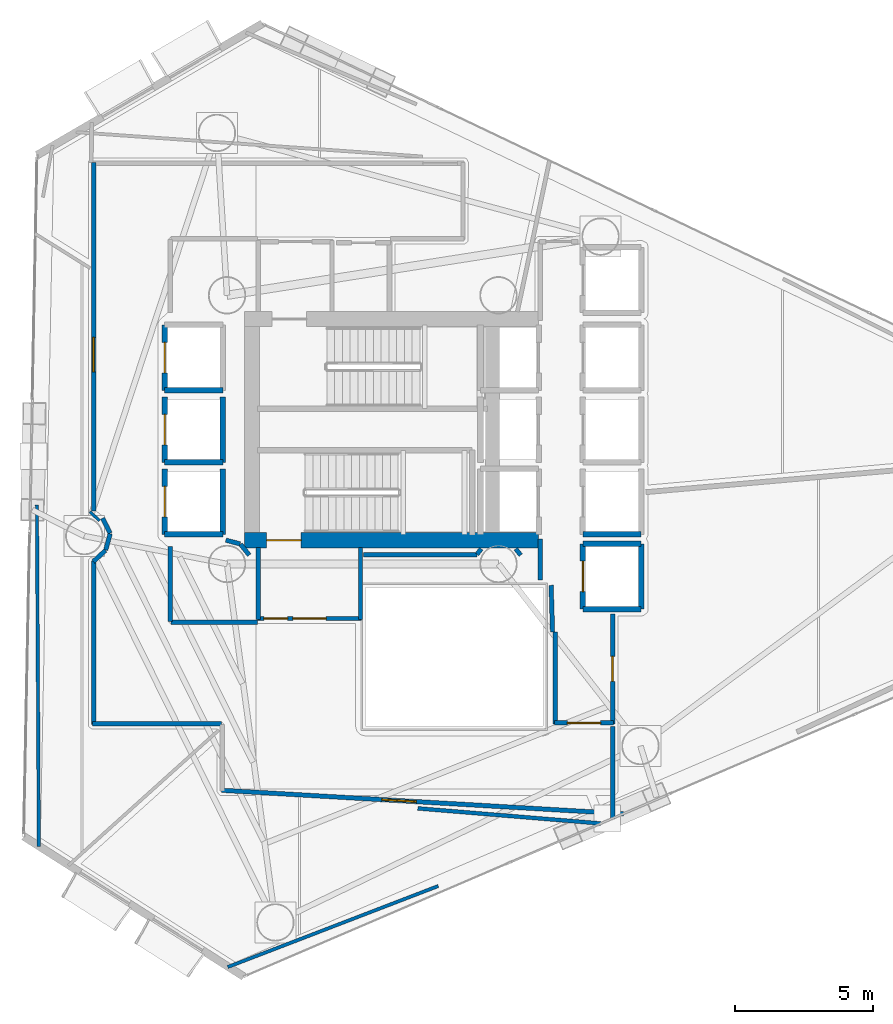
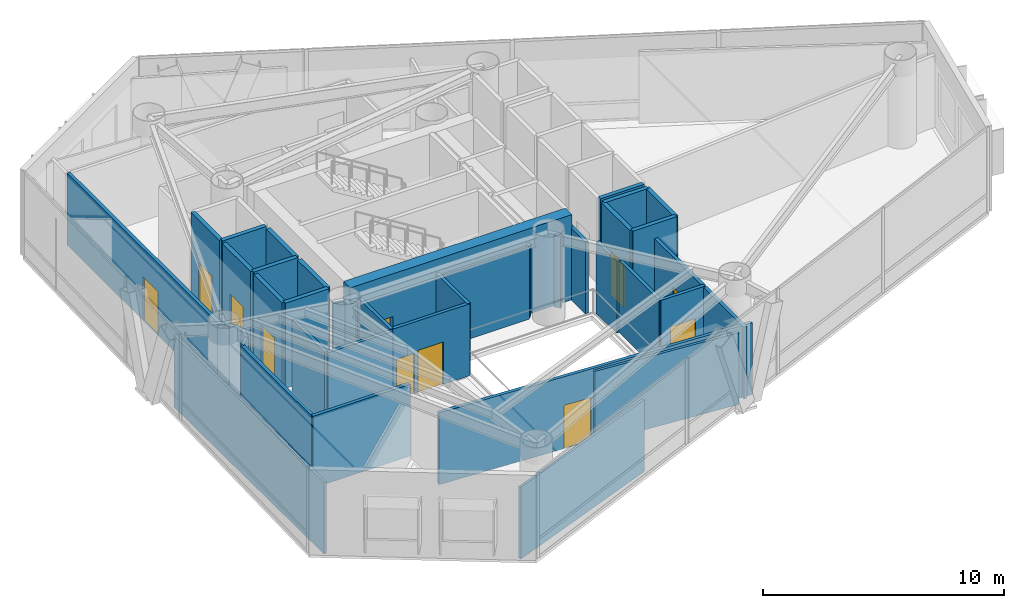
# One storey, part 16 of 21: 41 walls, 11 doors, 11 openings.
"""IFC4 building model written with IfcOpenShell, lengths in metres."""

from ifc_helpers import new_model, si_unit, direction, frame, frame_2d, origin, place, context, subcontext, project, spatial, rectangle, extrude, material, layer, layer_set, type_object, element, fill, save


model = new_model("IFC4")

# Units and contexts
model_context = context("Model", 3, precision=1e-05, world=origin(), true_north=direction((0.0, 1.0)))
body_context = subcontext(model_context, "Body", "Model", "MODEL_VIEW")
ifc_project = project(units=[si_unit("LENGTHUNIT", "METRE"), si_unit("AREAUNIT", "SQUARE_METRE"), si_unit("VOLUMEUNIT", "CUBIC_METRE"), si_unit("PLANEANGLEUNIT", "RADIAN"), si_unit("MASSUNIT", "GRAM", prefix="KILO")], contexts=[model_context])

# Site, building, storey
site_placement = place(None, origin())
site = spatial("IfcSite", under=ifc_project, at=site_placement, CompositionType="ELEMENT")
building_placement = place(site_placement, origin())
building = spatial("IfcBuilding", under=site, at=building_placement, Name="Qianvela Tower", CompositionType="ELEMENT")
storey_placement = place(building_placement, frame((0.0, 0.0, 143.10009765625)))
storey = spatial("IfcBuildingStorey", under=building, at=storey_placement, Name="L36", CompositionType="ELEMENT", Elevation=143.10009765625)

# Wall, opening, door
ifc_material_1 = material(Name="Concrete C60", Category="concrete")
ifc_layer_1 = layer(ifc_material_1, 0.550048828125)
ifc_layer_set_1 = layer_set([ifc_layer_1], Name="Concrete C60")
wall_type_1 = type_object("IfcWallType", Name="WT-CORE-550", PredefinedType="SHEAR", material=ifc_layer_set_1)
wall_1_placement = place(storey_placement, frame((29.22998046875, 24.705078125, 0.0), z_axis=(0.0, 0.0, 1.0), x_axis=(1.0, 0.0, 0.0)))
wall_1 = element("IfcWall", 1, at=wall_1_placement, inside=storey, type_object=wall_type_1, Name="L36 South Core Shear Wall", PredefinedType="SHEAR", context=body_context, shape_type="SweptSolid", body=[
    extrude(rectangle(XDim=10.6201171875, YDim=0.550048828125, at=frame_2d((5.31005859375, 0.0))), origin(), (0.0, 0.0, 1.0), 4.31982421875),
])
opening_1_placement = place(wall_1_placement, frame((0.794921875, 0.0, 0.0)))
opening_1 = element("IfcOpeningElement", 2, at=opening_1_placement, cuts=wall_1, Name="Opening D-ST1", PredefinedType="OPENING", context=body_context, shape_type="SweptSolid", body=[
    extrude(rectangle(XDim=1.25, YDim=2.14990234375, at=frame_2d((0.625, 1.074951171875))), frame((0.0, 0.284912109375, 0.0), z_axis=(0.0, -1.0, 0.0), x_axis=(1.0, 0.0, 0.0)), (0.0, 0.0, 1.0), 0.570068359375),
])
ifc_material_2 = material(Name="Galvanised Fire Steel Q355B", Category="steel")
door_type_1 = type_object("IfcDoorType", Name="DT-STAIR-FD90", OperationType="NOTDEFINED", PredefinedType="DOOR", material=ifc_material_2)
door_1_placement = place(opening_1_placement, origin())
door_1 = element("IfcDoor", 3, at=door_1_placement, inside=storey, type_object=door_type_1, Name="L36 Stair ST-2 Exit Door", OperationType="SINGLE_SWING_RIGHT", OverallHeight=2.14990234375, OverallWidth=1.25, PredefinedType="DOOR", context=body_context, shape_type="SweptSolid", body=[
    extrude(rectangle(XDim=1.25, YDim=2.14990234375, at=frame_2d((0.625, 1.074951171875))), frame((0.0, 0.02490234375, 0.0), z_axis=(0.0, -1.0, 0.0), x_axis=(1.0, 0.0, 0.0)), (0.0, 0.0, 1.0), 0.050048828125),
])
fill(opening_1, door_1)

# Wall, openings, doors
ifc_material_3 = material(Name="Fire-Rated Gypsum and Concrete Block", Category="concrete")
ifc_layer_2 = layer(ifc_material_3, 0.159912109375)
ifc_layer_set_2 = layer_set([ifc_layer_2], Name="Fire-Rated Gypsum and Concrete Block")
wall_type_2 = type_object("IfcWallType", Name="WT-CORR-160", PredefinedType="PARTITIONING", material=ifc_layer_set_2)
wall_2_placement = place(storey_placement, frame((33.449951171875, 21.881103515625, 0.0), z_axis=(0.0, 0.0, 1.0), x_axis=(-1.0, 0.0, 0.0)))
wall_2 = element("IfcWall", 4, at=wall_2_placement, inside=storey, type_object=wall_type_2, Name="L36 Partition 5", PredefinedType="PARTITIONING", context=body_context, shape_type="SweptSolid", body=[
    extrude(rectangle(XDim=3.75, YDim=0.159912109375, at=frame_2d((1.875, 0.0))), origin(), (0.0, 0.0, 1.0), 3.639892578125),
])
opening_2_placement = place(wall_2_placement, frame((1.27490234375, 0.0, 0.0)))
opening_2 = element("IfcOpeningElement", 5, at=opening_2_placement, cuts=wall_2, Name="Opening D-LB1", PredefinedType="OPENING", context=body_context, shape_type="SweptSolid", body=[
    extrude(rectangle(XDim=1.199951171875, YDim=2.14990234375, at=frame_2d((0.60009765625, 1.074951171875))), frame((0.0, 0.08984375, 0.0), z_axis=(0.0, -1.0, 0.0), x_axis=(1.0, 0.0, 0.0)), (0.0, 0.0, 1.0), 0.179931640625),
])
opening_3_placement = place(wall_2_placement, frame((2.659912109375, 0.0, 0.0)))
opening_3 = element("IfcOpeningElement", 6, at=opening_3_placement, cuts=wall_2, Name="Opening D-LB2", PredefinedType="OPENING", context=body_context, shape_type="SweptSolid", body=[
    extrude(rectangle(XDim=0.860107421875, YDim=2.050048828125, at=frame_2d((0.43017578125, 1.02490234375))), frame((0.0, 0.08984375, 0.0), z_axis=(0.0, -1.0, 0.0), x_axis=(1.0, 0.0, 0.0)), (0.0, 0.0, 1.0), 0.179931640625),
])
ifc_material_4 = material(Name="Glazed Fire-Rated Steel Frame", Category="steel")
door_type_2 = type_object("IfcDoorType", Name="DT-LOBBY-FD90", OperationType="NOTDEFINED", PredefinedType="DOOR", material=ifc_material_4)
door_2_placement = place(opening_2_placement, origin())
door_2 = element("IfcDoor", 7, at=door_2_placement, inside=storey, type_object=door_type_2, Name="L36 Door L36 Firefighting Lobby South to L36 Sky Lobby Gallery Corridor", OperationType="SINGLE_SWING_LEFT", OverallHeight=2.14990234375, OverallWidth=1.199951171875, PredefinedType="DOOR", context=body_context, shape_type="SweptSolid", body=[
    extrude(rectangle(XDim=1.199951171875, YDim=2.14990234375, at=frame_2d((0.60009765625, 1.074951171875))), frame((0.0, 0.02490234375, 0.0), z_axis=(0.0, -1.0, 0.0), x_axis=(1.0, 0.0, 0.0)), (0.0, 0.0, 1.0), 0.050048828125),
])
fill(opening_2, door_2)
ifc_material_5 = material(Name="Insulated Steel Fire Door Q355B", Category="steel")
door_type_3 = type_object("IfcDoorType", Name="DT-LOBBY-FD90-860", OperationType="NOTDEFINED", PredefinedType="DOOR", material=ifc_material_5)
door_3_placement = place(opening_3_placement, origin())
door_3 = element("IfcDoor", 8, at=door_3_placement, inside=storey, type_object=door_type_3, Name="L36 Door L36 Firefighting Lobby South to L36 Sky Lobby Gallery Corridor", OperationType="SINGLE_SWING_LEFT", OverallHeight=2.050048828125, OverallWidth=0.860107421875, PredefinedType="DOOR", context=body_context, shape_type="SweptSolid", body=[
    extrude(rectangle(XDim=0.860107421875, YDim=2.050048828125, at=frame_2d((0.43017578125, 1.02490234375))), frame((0.0, 0.02490234375, 0.0), z_axis=(0.0, -1.0, 0.0), x_axis=(1.0, 0.0, 0.0)), (0.0, 0.0, 1.0), 0.050048828125),
])
fill(opening_3, door_3)

# Walls
for number, where, z_axis, x_axis, name in (
    (9, (29.73095703125, 21.85009765625, 0.0), (0.0, 0.0, 1.0), (0.0, 1.0, 0.0), "L36 Partition 6"),
    (10, (33.4189453125, 24.44189453125, 0.0), (0.0, 0.0, 1.0), (0.0, -1.0, 0.0), "L36 Partition 8"),
):
    element("IfcWall", number, at=place(storey_placement, frame(where, z_axis=z_axis, x_axis=x_axis)), inside=storey, type_object=wall_type_2, Name=name, PredefinedType="PARTITIONING", context=body_context, shape_type="SweptSolid", body=[
        extrude(rectangle(XDim=2.591796875, YDim=0.159912109375, at=frame_2d((1.2958984375, 0.0))), origin(), (0.0, 0.0, 1.0), 3.639892578125),
    ])
wall_3_placement = place(storey_placement, frame((40.35107421875, 21.40087890625, 0.0), z_axis=(0.0, 0.0, 1.0), x_axis=(-0.031058045979, 0.999517582527, 0.0)))
element("IfcWall", 11, at=wall_3_placement, inside=storey, type_object=wall_type_2, Name="L36 Partition 9", PredefinedType="PARTITIONING", context=body_context, shape_type="SweptSolid", body=[
    extrude(rectangle(XDim=1.68212890625, YDim=0.159912109375, at=frame_2d((0.841064453125, 0.0))), origin(), (0.0, 0.0, 1.0), 3.639892578125),
])
wall_4_placement = place(storey_placement, frame((39.910888671875, 23.280029296875, 0.0), z_axis=(0.0, 0.0, 1.0), x_axis=(0.0, 1.0, 0.0)))
element("IfcWall", 12, at=wall_4_placement, inside=storey, type_object=wall_type_2, Name="L36 Partition 10", PredefinedType="PARTITIONING", context=body_context, shape_type="SweptSolid", body=[
    extrude(rectangle(XDim=1.47998046875, YDim=0.159912109375, at=frame_2d((0.739990234375, 0.0))), origin(), (0.0, 0.0, 1.0), 3.639892578125),
])

# Wall, opening, door
wall_5_placement = place(storey_placement, frame((42.51904296875, 22.050048828125, 0.0), z_axis=(0.0, 0.0, 1.0), x_axis=(0.0, -1.0, 0.0)))
wall_5 = element("IfcWall", 13, at=wall_5_placement, inside=storey, type_object=wall_type_2, Name="L36 Partition 17", PredefinedType="PARTITIONING", context=body_context, shape_type="SweptSolid", body=[
    extrude(rectangle(XDim=3.969970703125, YDim=0.159912109375, at=frame_2d((1.98486328125, 0.0))), origin(), (0.0, 0.0, 1.0), 3.639892578125),
])
opening_4_placement = place(wall_5_placement, frame((1.534912109375, 0.0, 0.0)))
opening_4 = element("IfcOpeningElement", 14, at=opening_4_placement, cuts=wall_5, Name="Opening D-KT1", PredefinedType="OPENING", context=body_context, shape_type="SweptSolid", body=[
    extrude(rectangle(XDim=0.89990234375, YDim=2.10009765625, at=frame_2d((0.449951171875, 1.050048828125))), frame((0.0, 0.08984375, 0.0), z_axis=(0.0, -1.0, 0.0), x_axis=(1.0, 0.0, 0.0)), (0.0, 0.0, 1.0), 0.179931640625),
])
ifc_material_6 = material(Name="Glazed Timber Kitchen Door", Category="wood")
door_type_4 = type_object("IfcDoorType", Name="DT-KITCH-900", OperationType="NOTDEFINED", PredefinedType="DOOR", material=ifc_material_6)
door_4_placement = place(opening_4_placement, origin())
door_4 = element("IfcDoor", 15, at=door_4_placement, inside=storey, type_object=door_type_4, Name="L36 Door L36 Shared Sky Kitchen and Cafe to L36 Lift Lobby", OperationType="SINGLE_SWING_RIGHT", OverallHeight=2.10009765625, OverallWidth=0.89990234375, PredefinedType="DOOR", context=body_context, shape_type="SweptSolid", body=[
    extrude(rectangle(XDim=0.89990234375, YDim=2.10009765625, at=frame_2d((0.449951171875, 1.050048828125))), frame((0.0, 0.02490234375, 0.0), z_axis=(0.0, -1.0, 0.0), x_axis=(1.0, 0.0, 0.0)), (0.0, 0.0, 1.0), 0.050048828125),
])
fill(opening_4, door_4)

wall_6_placement = place(storey_placement, frame((42.550048828125, 18.111083984375, 0.0), z_axis=(0.0, 0.0, 1.0), x_axis=(-1.0, 0.0, 0.0)))
wall_6 = element("IfcWall", 16, at=wall_6_placement, inside=storey, type_object=wall_type_2, Name="L36 Partition 18", PredefinedType="PARTITIONING", context=body_context, shape_type="SweptSolid", body=[
    extrude(rectangle(XDim=2.130126953125, YDim=0.159912109375, at=frame_2d((1.06494140625, 0.0))), origin(), (0.0, 0.0, 1.0), 3.639892578125),
])
opening_5_placement = place(wall_6_placement, frame((0.465087890625, 0.0, 0.0)))
opening_5 = element("IfcOpeningElement", 17, at=opening_5_placement, cuts=wall_6, Name="Opening D-LB1", PredefinedType="OPENING", context=body_context, shape_type="SweptSolid", body=[
    extrude(rectangle(XDim=1.199951171875, YDim=2.14990234375, at=frame_2d((0.60009765625, 1.074951171875))), frame((0.0, 0.08984375, 0.0), z_axis=(0.0, -1.0, 0.0), x_axis=(1.0, 0.0, 0.0)), (0.0, 0.0, 1.0), 0.179931640625),
])
door_5_placement = place(opening_5_placement, origin())
door_5 = element("IfcDoor", 18, at=door_5_placement, inside=storey, type_object=door_type_2, Name="L36 Door L36 Lift Lobby to L36 Sky Lobby Gallery Corridor", OperationType="SINGLE_SWING_RIGHT", OverallHeight=2.14990234375, OverallWidth=1.199951171875, PredefinedType="DOOR", context=body_context, shape_type="SweptSolid", body=[
    extrude(rectangle(XDim=1.199951171875, YDim=2.14990234375, at=frame_2d((0.60009765625, 1.074951171875))), frame((0.0, 0.02490234375, 0.0), z_axis=(0.0, -1.0, 0.0), x_axis=(1.0, 0.0, 0.0)), (0.0, 0.0, 1.0), 0.050048828125),
])
fill(opening_5, door_5)

# Walls
wall_7_placement = place(storey_placement, frame((40.450927734375, 18.080078125, 0.0), z_axis=(0.0, 0.0, 1.0), x_axis=(0.0, 1.0, 0.0)))
element("IfcWall", 19, at=wall_7_placement, inside=storey, type_object=wall_type_2, Name="L36 Partition 19 seg 1", PredefinedType="PARTITIONING", context=body_context, shape_type="SweptSolid", body=[
    extrude(rectangle(XDim=3.31982421875, YDim=0.159912109375, at=frame_2d((1.659912109375, 0.0))), origin(), (0.0, 0.0, 1.0), 3.639892578125),
])
wall_8_placement = place(storey_placement, frame((29.401611328125, 24.169189453125, 0.0), z_axis=(0.0, 0.0, 1.0), x_axis=(-0.622091855036, 0.782944266151, 0.0)))
element("IfcWall", 20, at=wall_8_placement, inside=storey, type_object=wall_type_2, Name="L36 Partition 28", PredefinedType="PARTITIONING", context=body_context, shape_type="SweptSolid", body=[
    extrude(rectangle(XDim=0.50390625, YDim=0.159912109375, at=frame_2d((0.251953125, 0.0))), origin(), (0.0, 0.0, 1.0), 3.639892578125),
])
wall_9_placement = place(storey_placement, frame((29.07177734375, 24.57421875, 0.0), z_axis=(0.0, 0.0, 1.0), x_axis=(-0.966842101769, 0.255374920942, 0.0)))
element("IfcWall", 21, at=wall_9_placement, inside=storey, type_object=wall_type_2, Name="L36 Partition 29", PredefinedType="PARTITIONING", context=body_context, shape_type="SweptSolid", body=[
    extrude(rectangle(XDim=0.531494140625, YDim=0.159912109375, at=frame_2d((0.265625, 0.0))), origin(), (0.0, 0.0, 1.0), 3.639892578125),
])
wall_10_placement = place(storey_placement, frame((39.20166015625, 24.169189453125, 0.0), z_axis=(0.0, 0.0, 1.0), x_axis=(-0.621699046284, 0.783256213413, 0.0)))
element("IfcWall", 22, at=wall_10_placement, inside=storey, type_object=wall_type_2, Name="L36 Partition 35", PredefinedType="PARTITIONING", context=body_context, shape_type="SweptSolid", body=[
    extrude(rectangle(XDim=0.28857421875, YDim=0.159912109375, at=frame_2d((0.144287109375, 0.0))), origin(), (0.0, 0.0, 1.0), 3.639892578125),
])
wall_11_placement = place(storey_placement, frame((37.77783203125, 24.395263671875, 0.0), z_axis=(0.0, 0.0, 1.0), x_axis=(-0.621829236437, -0.783152859097, 0.0)))
element("IfcWall", 23, at=wall_11_placement, inside=storey, type_object=wall_type_2, Name="L36 Partition 38", PredefinedType="PARTITIONING", context=body_context, shape_type="SweptSolid", body=[
    extrude(rectangle(XDim=0.249755859375, YDim=0.159912109375, at=frame_2d((0.125, 0.0))), origin(), (0.0, 0.0, 1.0), 3.639892578125),
])
wall_12_placement = place(storey_placement, frame((37.62255859375, 24.180908203125, 0.0), z_axis=(0.0, 0.0, 1.0), x_axis=(-1.0, 0.0, 0.0)))
element("IfcWall", 24, at=wall_12_placement, inside=storey, type_object=wall_type_2, Name="L36 Partition 39", PredefinedType="PARTITIONING", context=body_context, shape_type="SweptSolid", body=[
    extrude(rectangle(XDim=4.092529296875, YDim=0.159912109375, at=frame_2d((2.04638671875, 0.0))), origin(), (0.0, 0.0, 1.0), 3.639892578125),
])

# Wall, opening, door
wall_13_placement = place(storey_placement, frame((23.781005859375, 25.76171875, 0.0), z_axis=(0.0, 0.0, 1.0), x_axis=(0.0, 1.0, 0.0)))
wall_13 = element("IfcWall", 25, at=wall_13_placement, inside=storey, type_object=wall_type_2, Name="L36 Partition 40", PredefinedType="PARTITIONING", context=body_context, shape_type="SweptSolid", body=[
    extrude(rectangle(XDim=12.58837890625, YDim=0.159912109375, at=frame_2d((6.294189453125, 0.0))), origin(), (0.0, 0.0, 1.0), 3.639892578125),
])
opening_6_placement = place(wall_13_placement, frame((5.021484375, 0.0, 0.0)))
opening_6 = element("IfcOpeningElement", 26, at=opening_6_placement, cuts=wall_13, Name="Opening D-LG1", PredefinedType="OPENING", context=body_context, shape_type="SweptSolid", body=[
    extrude(rectangle(XDim=1.25, YDim=2.199951171875, at=frame_2d((0.625, 1.10009765625))), frame((0.0, 0.08984375, 0.0), z_axis=(0.0, -1.0, 0.0), x_axis=(1.0, 0.0, 0.0)), (0.0, 0.0, 1.0), 0.179931640625),
])
ifc_material_7 = material(Name="Anodised Aluminium Acoustic Glass Door", Category="aluminium")
door_type_5 = type_object("IfcDoorType", Name="DT-LOUNGE-1250", OperationType="NOTDEFINED", PredefinedType="DOOR", material=ifc_material_7)
door_6_placement = place(opening_6_placement, origin())
door_6 = element("IfcDoor", 27, at=door_6_placement, inside=storey, type_object=door_type_5, Name="L36 Door L36 Panoramic Sky Lounge to L36 Sky Lobby Gallery Corridor", OperationType="SINGLE_SWING_RIGHT", OverallHeight=2.199951171875, OverallWidth=1.25, PredefinedType="DOOR", context=body_context, shape_type="SweptSolid", body=[
    extrude(rectangle(XDim=1.25, YDim=2.199951171875, at=frame_2d((0.625, 1.10009765625))), frame((0.0, 0.02490234375, 0.0), z_axis=(0.0, -1.0, 0.0), x_axis=(1.0, 0.0, 0.0)), (0.0, 0.0, 1.0), 0.050048828125),
])
fill(opening_6, door_6)

# Walls
wall_14_placement = place(storey_placement, frame((26.549072265625, 24.4755859375, 0.0), z_axis=(0.0, 0.0, 1.0), x_axis=(0.0, -1.0, 0.0)))
element("IfcWall", 28, at=wall_14_placement, inside=storey, type_object=wall_type_2, Name="L36 Partition 46", PredefinedType="PARTITIONING", context=body_context, shape_type="SweptSolid", body=[
    extrude(rectangle(XDim=2.695556640625, YDim=0.159912109375, at=frame_2d((1.34765625, 0.0))), origin(), (0.0, 0.0, 1.0), 3.639892578125),
])
wall_15_placement = place(storey_placement, frame((26.580078125, 21.7490234375, 0.0), z_axis=(0.0, 0.0, 1.0), x_axis=(1.0, 0.0, 0.0)))
element("IfcWall", 29, at=wall_15_placement, inside=storey, type_object=wall_type_2, Name="L36 Partition 47 seg 1", PredefinedType="PARTITIONING", context=body_context, shape_type="SweptSolid", body=[
    extrude(rectangle(XDim=3.119873046875, YDim=0.159912109375, at=frame_2d((1.56005859375, 0.0))), origin(), (0.0, 0.0, 1.0), 3.639892578125),
])
wall_16_placement = place(storey_placement, frame((42.51904296875, 17.97998046875, 0.0), z_axis=(0.0, 0.0, 1.0), x_axis=(0.0, -1.0, 0.0)))
element("IfcWall", 30, at=wall_16_placement, inside=storey, type_object=wall_type_2, Name="L36 Partition 49 seg 1", PredefinedType="PARTITIONING", context=body_context, shape_type="SweptSolid", body=[
    extrude(rectangle(XDim=3.33544921875, YDim=0.159912109375, at=frame_2d((1.667724609375, 0.0))), origin(), (0.0, 0.0, 1.0), 3.639892578125),
])

# Wall, opening, door
wall_17_placement = place(storey_placement, frame((42.91357421875, 14.833984375, 0.0), z_axis=(0.0, 0.0, 1.0), x_axis=(-0.998301769206, 0.058254421299, 0.0)))
wall_17 = element("IfcWall", 31, at=wall_17_placement, inside=storey, type_object=wall_type_2, Name="L36 Partition 50", PredefinedType="PARTITIONING", context=body_context, shape_type="SweptSolid", body=[
    extrude(rectangle(XDim=14.538330078125, YDim=0.159912109375, at=frame_2d((7.26904296875, 0.0))), origin(), (0.0, 0.0, 1.0), 3.639892578125),
])
opening_7_placement = place(wall_17_placement, frame((7.490478515625, 0.0, 0.0)))
opening_7 = element("IfcOpeningElement", 32, at=opening_7_placement, cuts=wall_17, Name="Opening D-LG1", PredefinedType="OPENING", context=body_context, shape_type="SweptSolid", body=[
    extrude(rectangle(XDim=1.25, YDim=2.199951171875, at=frame_2d((0.625, 1.10009765625))), frame((0.0, 0.08984375, 0.0), z_axis=(0.0, -1.0, 0.0), x_axis=(1.0, 0.0, 0.0)), (0.0, 0.0, 1.0), 0.179931640625),
])
door_7_placement = place(opening_7_placement, origin())
door_7 = element("IfcDoor", 33, at=door_7_placement, inside=storey, type_object=door_type_5, Name="L36 Door L36 Graduate Study Lounge to L36 Sky Lobby Gallery Corridor", OperationType="SINGLE_SWING_LEFT", OverallHeight=2.199951171875, OverallWidth=1.25, PredefinedType="DOOR", context=body_context, shape_type="SweptSolid", body=[
    extrude(rectangle(XDim=1.25, YDim=2.199951171875, at=frame_2d((0.625, 1.10009765625))), frame((0.0, 0.02490234375, 0.0), z_axis=(0.0, -1.0, 0.0), x_axis=(1.0, 0.0, 0.0)), (0.0, 0.0, 1.0), 0.050048828125),
])
fill(opening_7, door_7)

# Walls
wall_18_placement = place(storey_placement, frame((28.39990234375, 18.0810546875, 0.0), z_axis=(0.0, 0.0, 1.0), x_axis=(-1.0, 0.0, 0.0)))
element("IfcWall", 34, at=wall_18_placement, inside=storey, type_object=wall_type_2, Name="L36 Partition 52", PredefinedType="PARTITIONING", context=body_context, shape_type="SweptSolid", body=[
    extrude(rectangle(XDim=4.64990234375, YDim=0.159912109375, at=frame_2d((2.324951171875, 0.0))), origin(), (0.0, 0.0, 1.0), 3.639892578125),
])
wall_19_placement = place(storey_placement, frame((23.781005859375, 18.050048828125, 0.0), z_axis=(0.0, 0.0, 1.0), x_axis=(0.0, 1.0, 0.0)))
element("IfcWall", 35, at=wall_19_placement, inside=storey, type_object=wall_type_2, Name="L36 Partition 53", PredefinedType="PARTITIONING", context=body_context, shape_type="SweptSolid", body=[
    extrude(rectangle(XDim=5.90625, YDim=0.159912109375, at=frame_2d((2.953125, 0.0))), origin(), (0.0, 0.0, 1.0), 3.639892578125),
])
wall_20_placement = place(storey_placement, frame((23.77099609375, 23.93359375, 0.0), z_axis=(0.0, 0.0, 1.0), x_axis=(0.735475561179, 0.677551251868, 0.0)))
element("IfcWall", 36, at=wall_20_placement, inside=storey, type_object=wall_type_2, Name="L36 Partition 54", PredefinedType="PARTITIONING", context=body_context, shape_type="SweptSolid", body=[
    extrude(rectangle(XDim=0.598388671875, YDim=0.159912109375, at=frame_2d((0.29931640625, 0.0))), origin(), (0.0, 0.0, 1.0), 3.639892578125),
])
wall_21_placement = place(storey_placement, frame((24.22021484375, 24.353515625, 0.0), z_axis=(0.0, 0.0, 1.0), x_axis=(0.262335473769, 0.964976735058, 0.0)))
element("IfcWall", 37, at=wall_21_placement, inside=storey, type_object=wall_type_2, Name="L36 Partition 55", PredefinedType="PARTITIONING", context=body_context, shape_type="SweptSolid", body=[
    extrude(rectangle(XDim=0.607666015625, YDim=0.159912109375, at=frame_2d((0.3037109375, 0.0))), origin(), (0.0, 0.0, 1.0), 3.639892578125),
])
wall_22_placement = place(storey_placement, frame((24.37744140625, 24.9619140625, 0.0), z_axis=(0.0, 0.0, 1.0), x_axis=(-0.445765979106, 0.89514953604, 0.0)))
element("IfcWall", 38, at=wall_22_placement, inside=storey, type_object=wall_type_2, Name="L36 Partition 56", PredefinedType="PARTITIONING", context=body_context, shape_type="SweptSolid", body=[
    extrude(rectangle(XDim=0.607421875, YDim=0.159912109375, at=frame_2d((0.3037109375, 0.0))), origin(), (0.0, 0.0, 1.0), 3.639892578125),
])
ifc_material_8 = material(Name="Lightweight Gypsum Room Partition")
ifc_layer_3 = layer(ifc_material_8, 0.10498046875)
ifc_layer_set_3 = layer_set([ifc_layer_3], Name="Lightweight Gypsum Room Partition")
wall_type_3 = type_object("IfcWallType", Name="WT-PART-105", PredefinedType="PARTITIONING", material=ifc_layer_set_3)
wall_23_placement = place(storey_placement, frame((23.649658203125, 25.73095703125, 0.0), z_axis=(0.0, 0.0, 1.0), x_axis=(0.740268610493, -0.672311225787, 0.0)))
element("IfcWall", 39, at=wall_23_placement, inside=storey, type_object=wall_type_3, Name="L36 Partition 58", PredefinedType="PARTITIONING", context=body_context, shape_type="SweptSolid", body=[
    extrude(rectangle(XDim=0.470703125, YDim=0.10498046875, at=frame_2d((0.2353515625, 0.0))), origin(), (0.0, 0.0, 1.0), 3.639892578125),
])
ifc_material_9 = material(Name="Insulated Gypsum Stud Partition")
ifc_layer_4 = layer(ifc_material_9, 0.1201171875)
ifc_layer_set_4 = layer_set([ifc_layer_4], Name="Insulated Gypsum Stud Partition")
wall_type_4 = type_object("IfcWallType", Name="WT-PART-120", PredefinedType="PARTITIONING", material=ifc_layer_set_4)
wall_24_placement = place(storey_placement, frame((21.80615234375, 13.644287109375, 0.0), z_axis=(0.0, 0.0, 1.0), x_axis=(-0.005682851484, 0.999983852469, 0.0)))
element("IfcWall", 40, at=wall_24_placement, inside=storey, type_object=wall_type_4, Name="L36 Partition 66 seg 1", PredefinedType="PARTITIONING", context=body_context, shape_type="SweptSolid", body=[
    extrude(rectangle(XDim=12.329833984375, YDim=0.1201171875, at=frame_2d((6.1650390625, 0.0))), origin(), (0.0, 0.0, 1.0), 3.639892578125),
])
wall_25_placement = place(storey_placement, frame((36.225830078125, 12.22412109375, 0.0), z_axis=(0.0, 0.0, 1.0), x_axis=(-0.93330774209, -0.359077510511, 0.0)))
element("IfcWall", 41, at=wall_25_placement, inside=storey, type_object=wall_type_4, Name="L36 Partition 69 seg 1", PredefinedType="PARTITIONING", context=body_context, shape_type="SweptSolid", body=[
    extrude(rectangle(XDim=8.14404296875, YDim=0.1201171875, at=frame_2d((4.072021484375, 0.0))), origin(), (0.0, 0.0, 1.0), 3.639892578125),
])
ifc_material_10 = material(Name="Acoustic Double Gypsum Stud Partition")
ifc_layer_5 = layer(ifc_material_10, 0.139892578125)
ifc_layer_set_5 = layer_set([ifc_layer_5], Name="Acoustic Double Gypsum Stud Partition")
wall_type_5 = type_object("IfcWallType", Name="WT-ROOM-140", PredefinedType="PARTITIONING", material=ifc_layer_set_5)
wall_26_placement = place(storey_placement, frame((35.48681640625, 15.027099609375, 0.0), z_axis=(0.0, 0.0, 1.0), x_axis=(0.996605450561, -0.082326034225, 0.0)))
element("IfcWall", 42, at=wall_26_placement, inside=storey, type_object=wall_type_5, Name="L36 Partition 68 seg 2", PredefinedType="PARTITIONING", context=body_context, shape_type="SweptSolid", body=[
    extrude(rectangle(XDim=6.6279296875, YDim=0.139892578125, at=frame_2d((3.31396484375, 0.0))), origin(), (0.0, 0.0, 1.0), 3.639892578125),
])

# Wall, opening, door
ifc_material_11 = material(Name="Concrete C50", Category="concrete")
ifc_layer_6 = layer(ifc_material_11, 0.199951171875)
ifc_layer_set_6 = layer_set([ifc_layer_6], Name="Concrete C50")
wall_type_6 = type_object("IfcWallType", Name="WT-SHAFT-200", PredefinedType="SOLIDWALL", material=ifc_layer_set_6)
wall_27_placement = place(storey_placement, frame((26.35009765625, 30.1201171875, 0.0), z_axis=(0.0, 0.0, 1.0), x_axis=(0.0, 1.0, 0.0)))
wall_27 = element("IfcWall", 43, at=wall_27_placement, inside=storey, type_object=wall_type_6, Name="L36 Lift PL-L1 W Shaft Wall", PredefinedType="SOLIDWALL", context=body_context, shape_type="SweptSolid", body=[
    extrude(rectangle(XDim=2.35986328125, YDim=0.199951171875, at=frame_2d((1.179931640625, 0.0))), origin(), (0.0, 0.0, 1.0), 4.31982421875),
])
opening_8_placement = place(wall_27_placement, frame((0.6298828125, 0.0, 0.0)))
opening_8 = element("IfcOpeningElement", 44, at=opening_8_placement, cuts=wall_27, Name="Opening LD-01", PredefinedType="OPENING", context=body_context, shape_type="SweptSolid", body=[
    extrude(rectangle(XDim=1.10009765625, YDim=2.14990234375, at=frame_2d((0.550048828125, 1.074951171875))), frame((0.0, 0.10986328125, 0.0), z_axis=(0.0, -1.0, 0.0), x_axis=(1.0, 0.0, 0.0)), (0.0, 0.0, 1.0), 0.219970703125),
])
ifc_material_12 = material(Name="Brushed Stainless Steel Lift Landing Door", Category="steel")
door_type_6 = type_object("IfcDoorType", Name="DT-LIFT-SLIDE-1100", OperationType="SLIDING_TO_LEFT", PredefinedType="DOOR", material=ifc_material_12)
door_8_placement = place(opening_8_placement, origin())
door_8 = element("IfcDoor", 45, at=door_8_placement, inside=storey, type_object=door_type_6, Name="L36 Lift PL-L1 Sliding Landing Door", OperationType="SLIDING_TO_LEFT", OverallHeight=2.14990234375, OverallWidth=1.10009765625, PredefinedType="DOOR", context=body_context, shape_type="SweptSolid", body=[
    extrude(rectangle(XDim=1.10009765625, YDim=2.14990234375, at=frame_2d((0.550048828125, 1.074951171875))), frame((0.0, 0.02490234375, 0.0), z_axis=(0.0, -1.0, 0.0), x_axis=(1.0, 0.0, 0.0)), (0.0, 0.0, 1.0), 0.050048828125),
])
fill(opening_8, door_8)

# Walls
wall_28_placement = place(storey_placement, frame((26.35009765625, 30.1201171875, 0.0), z_axis=(0.0, 0.0, 1.0), x_axis=(1.0, 0.0, 0.0)))
element("IfcWall", 46, at=wall_28_placement, inside=storey, type_object=wall_type_6, Name="L36 Lift PL-L1 S Shaft Wall", PredefinedType="SOLIDWALL", context=body_context, shape_type="SweptSolid", body=[
    extrude(rectangle(XDim=2.099853515625, YDim=0.199951171875, at=frame_2d((1.0498046875, 0.0))), origin(), (0.0, 0.0, 1.0), 4.31982421875),
])
wall_29_placement = place(storey_placement, frame((28.449951171875, 27.52001953125, 0.0), z_axis=(0.0, 0.0, 1.0), x_axis=(0.0, 1.0, 0.0)))
element("IfcWall", 47, at=wall_29_placement, inside=storey, type_object=wall_type_6, Name="L36 Lift PL-L2 E Shaft Wall", PredefinedType="SOLIDWALL", context=body_context, shape_type="SweptSolid", body=[
    extrude(rectangle(XDim=2.35986328125, YDim=0.199951171875, at=frame_2d((1.179931640625, 0.0))), origin(), (0.0, 0.0, 1.0), 4.31982421875),
])

# Wall, opening, door
wall_30_placement = place(storey_placement, frame((26.35009765625, 27.52001953125, 0.0), z_axis=(0.0, 0.0, 1.0), x_axis=(0.0, 1.0, 0.0)))
wall_30 = element("IfcWall", 48, at=wall_30_placement, inside=storey, type_object=wall_type_6, Name="L36 Lift PL-L2 W Shaft Wall", PredefinedType="SOLIDWALL", context=body_context, shape_type="SweptSolid", body=[
    extrude(rectangle(XDim=2.35986328125, YDim=0.199951171875, at=frame_2d((1.179931640625, 0.0))), origin(), (0.0, 0.0, 1.0), 4.31982421875),
])
opening_9_placement = place(wall_30_placement, frame((0.6298828125, 0.0, 0.0)))
opening_9 = element("IfcOpeningElement", 49, at=opening_9_placement, cuts=wall_30, Name="Opening LD-01", PredefinedType="OPENING", context=body_context, shape_type="SweptSolid", body=[
    extrude(rectangle(XDim=1.10009765625, YDim=2.14990234375, at=frame_2d((0.550048828125, 1.074951171875))), frame((0.0, 0.10986328125, 0.0), z_axis=(0.0, -1.0, 0.0), x_axis=(1.0, 0.0, 0.0)), (0.0, 0.0, 1.0), 0.219970703125),
])
door_9_placement = place(opening_9_placement, origin())
door_9 = element("IfcDoor", 50, at=door_9_placement, inside=storey, type_object=door_type_6, Name="L36 Lift PL-L2 Sliding Landing Door", OperationType="SLIDING_TO_LEFT", OverallHeight=2.14990234375, OverallWidth=1.10009765625, PredefinedType="DOOR", context=body_context, shape_type="SweptSolid", body=[
    extrude(rectangle(XDim=1.10009765625, YDim=2.14990234375, at=frame_2d((0.550048828125, 1.074951171875))), frame((0.0, 0.02490234375, 0.0), z_axis=(0.0, -1.0, 0.0), x_axis=(1.0, 0.0, 0.0)), (0.0, 0.0, 1.0), 0.050048828125),
])
fill(opening_9, door_9)

# Walls
wall_31_placement = place(storey_placement, frame((26.35009765625, 27.52001953125, 0.0), z_axis=(0.0, 0.0, 1.0), x_axis=(1.0, 0.0, 0.0)))
element("IfcWall", 51, at=wall_31_placement, inside=storey, type_object=wall_type_6, Name="L36 Lift PL-L2 S Shaft Wall", PredefinedType="SOLIDWALL", context=body_context, shape_type="SweptSolid", body=[
    extrude(rectangle(XDim=2.099853515625, YDim=0.199951171875, at=frame_2d((1.0498046875, 0.0))), origin(), (0.0, 0.0, 1.0), 4.31982421875),
])
wall_32_placement = place(storey_placement, frame((28.449951171875, 24.919921875, 0.0), z_axis=(0.0, 0.0, 1.0), x_axis=(0.0, 1.0, 0.0)))
element("IfcWall", 52, at=wall_32_placement, inside=storey, type_object=wall_type_6, Name="L36 Lift PL-L3 E Shaft Wall", PredefinedType="SOLIDWALL", context=body_context, shape_type="SweptSolid", body=[
    extrude(rectangle(XDim=2.360107421875, YDim=0.199951171875, at=frame_2d((1.18017578125, 0.0))), origin(), (0.0, 0.0, 1.0), 4.31982421875),
])

# Wall, opening, door
wall_33_placement = place(storey_placement, frame((26.35009765625, 24.919921875, 0.0), z_axis=(0.0, 0.0, 1.0), x_axis=(0.0, 1.0, 0.0)))
wall_33 = element("IfcWall", 53, at=wall_33_placement, inside=storey, type_object=wall_type_6, Name="L36 Lift PL-L3 W Shaft Wall", PredefinedType="SOLIDWALL", context=body_context, shape_type="SweptSolid", body=[
    extrude(rectangle(XDim=2.360107421875, YDim=0.199951171875, at=frame_2d((1.18017578125, 0.0))), origin(), (0.0, 0.0, 1.0), 4.31982421875),
])
opening_10_placement = place(wall_33_placement, frame((0.6298828125, 0.0, 0.0)))
opening_10 = element("IfcOpeningElement", 54, at=opening_10_placement, cuts=wall_33, Name="Opening LD-01", PredefinedType="OPENING", context=body_context, shape_type="SweptSolid", body=[
    extrude(rectangle(XDim=1.10009765625, YDim=2.14990234375, at=frame_2d((0.550048828125, 1.074951171875))), frame((0.0, 0.10986328125, 0.0), z_axis=(0.0, -1.0, 0.0), x_axis=(1.0, 0.0, 0.0)), (0.0, 0.0, 1.0), 0.219970703125),
])
door_10_placement = place(opening_10_placement, origin())
door_10 = element("IfcDoor", 55, at=door_10_placement, inside=storey, type_object=door_type_6, Name="L36 Lift PL-L3 Sliding Landing Door", OperationType="SLIDING_TO_LEFT", OverallHeight=2.14990234375, OverallWidth=1.10009765625, PredefinedType="DOOR", context=body_context, shape_type="SweptSolid", body=[
    extrude(rectangle(XDim=1.10009765625, YDim=2.14990234375, at=frame_2d((0.550048828125, 1.074951171875))), frame((0.0, 0.02490234375, 0.0), z_axis=(0.0, -1.0, 0.0), x_axis=(1.0, 0.0, 0.0)), (0.0, 0.0, 1.0), 0.050048828125),
])
fill(opening_10, door_10)

# Walls
wall_34_placement = place(storey_placement, frame((26.35009765625, 24.919921875, 0.0), z_axis=(0.0, 0.0, 1.0), x_axis=(1.0, 0.0, 0.0)))
element("IfcWall", 56, at=wall_34_placement, inside=storey, type_object=wall_type_6, Name="L36 Lift PL-L3 S Shaft Wall", PredefinedType="SOLIDWALL", context=body_context, shape_type="SweptSolid", body=[
    extrude(rectangle(XDim=2.099853515625, YDim=0.199951171875, at=frame_2d((1.0498046875, 0.0))), origin(), (0.0, 0.0, 1.0), 4.31982421875),
])
wall_35_placement = place(storey_placement, frame((41.449951171875, 24.919921875, 0.0), z_axis=(0.0, 0.0, 1.0), x_axis=(1.0, 0.0, 0.0)))
element("IfcWall", 57, at=wall_35_placement, inside=storey, type_object=wall_type_6, Name="L36 Lift PL-M3 S Shaft Wall", PredefinedType="SOLIDWALL", context=body_context, shape_type="SweptSolid", body=[
    extrude(rectangle(XDim=2.10009765625, YDim=0.199951171875, at=frame_2d((1.050048828125, 0.0))), origin(), (0.0, 0.0, 1.0), 4.31982421875),
])
wall_36_placement = place(storey_placement, frame((43.550048828125, 22.219970703125, 0.0), z_axis=(0.0, 0.0, 1.0), x_axis=(0.0, 1.0, 0.0)))
element("IfcWall", 58, at=wall_36_placement, inside=storey, type_object=wall_type_6, Name="L36 Lift PL-H2 E Shaft Wall", PredefinedType="SOLIDWALL", context=body_context, shape_type="SweptSolid", body=[
    extrude(rectangle(XDim=2.360107421875, YDim=0.199951171875, at=frame_2d((1.18017578125, 0.0))), origin(), (0.0, 0.0, 1.0), 4.31982421875),
])

# Wall, opening, door
wall_37_placement = place(storey_placement, frame((41.449951171875, 22.219970703125, 0.0), z_axis=(0.0, 0.0, 1.0), x_axis=(0.0, 1.0, 0.0)))
wall_37 = element("IfcWall", 59, at=wall_37_placement, inside=storey, type_object=wall_type_6, Name="L36 Lift PL-H2 W Shaft Wall", PredefinedType="SOLIDWALL", context=body_context, shape_type="SweptSolid", body=[
    extrude(rectangle(XDim=2.360107421875, YDim=0.199951171875, at=frame_2d((1.18017578125, 0.0))), origin(), (0.0, 0.0, 1.0), 4.31982421875),
])
opening_11_placement = place(wall_37_placement, frame((0.6298828125, 0.0, 0.0)))
opening_11 = element("IfcOpeningElement", 60, at=opening_11_placement, cuts=wall_37, Name="Opening LD-01", PredefinedType="OPENING", context=body_context, shape_type="SweptSolid", body=[
    extrude(rectangle(XDim=1.10009765625, YDim=2.14990234375, at=frame_2d((0.550048828125, 1.074951171875))), frame((0.0, 0.10986328125, 0.0), z_axis=(0.0, -1.0, 0.0), x_axis=(1.0, 0.0, 0.0)), (0.0, 0.0, 1.0), 0.219970703125),
])
door_11_placement = place(opening_11_placement, origin())
door_11 = element("IfcDoor", 61, at=door_11_placement, inside=storey, type_object=door_type_6, Name="L36 Lift PL-H2 Sliding Landing Door", OperationType="SLIDING_TO_LEFT", OverallHeight=2.14990234375, OverallWidth=1.10009765625, PredefinedType="DOOR", context=body_context, shape_type="SweptSolid", body=[
    extrude(rectangle(XDim=1.10009765625, YDim=2.14990234375, at=frame_2d((0.550048828125, 1.074951171875))), frame((0.0, 0.02490234375, 0.0), z_axis=(0.0, -1.0, 0.0), x_axis=(1.0, 0.0, 0.0)), (0.0, 0.0, 1.0), 0.050048828125),
])
fill(opening_11, door_11)

# Walls
for number, where, z_axis, x_axis, name in (
    (62, (41.449951171875, 24.580078125, 0.0), (0.0, 0.0, 1.0), (1.0, 0.0, 0.0), "L36 Lift PL-H2 N Shaft Wall"),
    (63, (41.449951171875, 22.219970703125, 0.0), (0.0, 0.0, 1.0), (1.0, 0.0, 0.0), "L36 Lift PL-H2 S Shaft Wall"),
):
    element("IfcWall", number, at=place(storey_placement, frame(where, z_axis=z_axis, x_axis=x_axis)), inside=storey, type_object=wall_type_6, Name=name, PredefinedType="SOLIDWALL", context=body_context, shape_type="SweptSolid", body=[
        extrude(rectangle(XDim=2.10009765625, YDim=0.199951171875, at=frame_2d((1.050048828125, 0.0))), origin(), (0.0, 0.0, 1.0), 4.31982421875),
    ])

save(model, "model.ifc")
